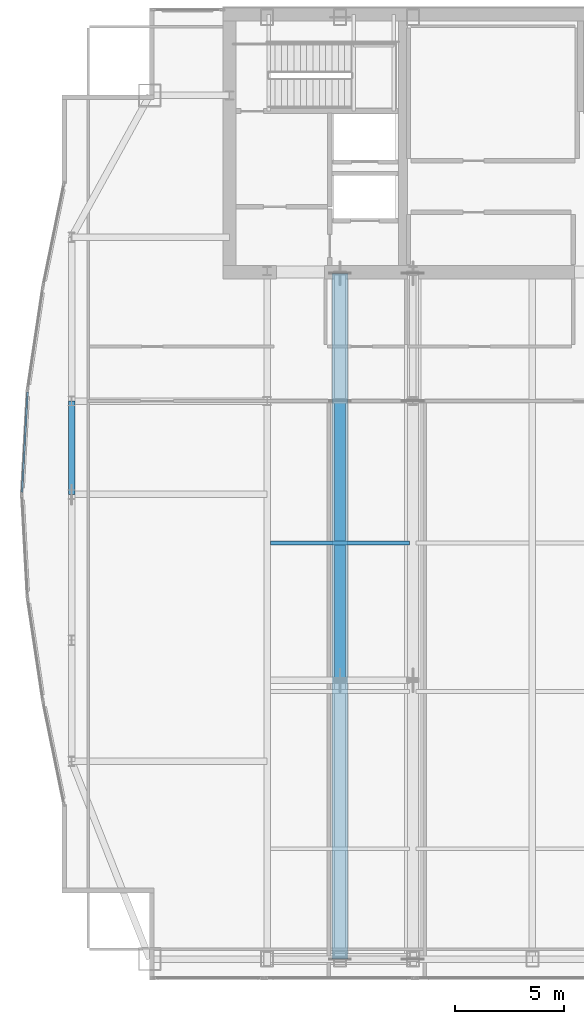
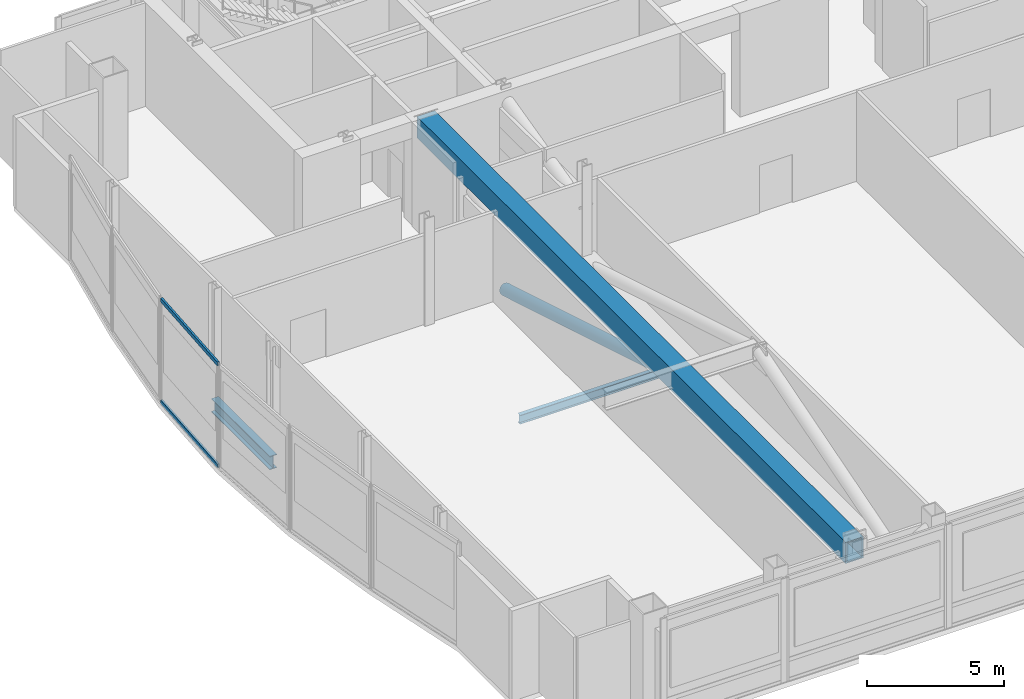
# One storey, part 13 of 32: 4 members, 2 beams, 1 element without a shape of its own.
"""IFC4 building model written with IfcOpenShell, lengths in metres."""

import ifcopenshell
import ifcopenshell.guid

model = None  # the IFC model being written
_history = None  # IfcOwnerHistory: only IFC2X3 demands one
_inside = {}  # id of a spatial element -> (the spatial element, [elements in it])
_under = {}  # id of a project, library or spatial element -> (it, [spatial elements below it])
_declared = {}  # id of a project -> (the project, [libraries it declares])
_typed = {}  # id of a type object -> (the type object, [elements of that type])
_made_of = {}  # id of a material, layer set ... -> (it, [elements and type objects made of it])


def new_model(schema):
    """Start an empty IFC model of exactly this schema.

    Asked for "IFC4X3", IfcOpenShell would pick the latest addendum, in which some entities
    have other attributes; the version numbers below select the first issue.
    IFC2X3 requires an IfcOwnerHistory on every rooted entity: one is made here for all.
    """
    global model, _history
    if schema == "IFC4X3":
        model = ifcopenshell.file(schema_version=(4, 3, 0, 0))
    else:
        model = ifcopenshell.file(schema=schema)
    _inside.clear()
    _under.clear()
    _declared.clear()
    _typed.clear()
    _made_of.clear()
    _history = None
    if model.schema == "IFC2X3":
        org = make("IfcOrganization", Name="unknown")
        user = make(
            "IfcPersonAndOrganization",
            ThePerson=make("IfcPerson", FamilyName="unknown"),
            TheOrganization=org,
        )
        app = make(
            "IfcApplication",
            ApplicationDeveloper=org,
            Version="unknown",
            ApplicationFullName="unknown",
            ApplicationIdentifier="unknown",
        )
        _history = make(
            "IfcOwnerHistory",
            OwningUser=user,
            OwningApplication=app,
            ChangeAction="ADDED",
            CreationDate=0,
        )
    return model


def make(cls, **values):
    """One entity of the class cls with the attributes given. An attribute that is None is left unset."""
    return model.create_entity(
        cls, **{name: value for name, value in values.items() if value is not None}
    )


def rooted(cls, **values):
    """An entity with a GlobalId (a new one), such as an element, a storey or a relation."""
    return make(cls, GlobalId=ifcopenshell.guid.new(), OwnerHistory=_history, **values)


def si_unit(unit_type, name, prefix=None):
    """IfcSIUnit, for example si_unit("LENGTHUNIT", "METRE", prefix="MILLI")."""
    return make("IfcSIUnit", UnitType=unit_type, Prefix=prefix, Name=name)


def assignment(units):
    """IfcUnitAssignment: the units of a project."""
    return None if units is None else make("IfcUnitAssignment", Units=units)


def point(xyz):
    """IfcCartesianPoint."""
    return None if xyz is None else make("IfcCartesianPoint", Coordinates=xyz)


def direction(xyz):
    """IfcDirection."""
    return None if xyz is None else make("IfcDirection", DirectionRatios=xyz)


def frame(location, z_axis=None, x_axis=None):
    """IfcAxis2Placement3D, a coordinate frame: its origin and axes. An axis left out is left unset."""
    return make(
        "IfcAxis2Placement3D",
        Location=point(location),
        Axis=direction(z_axis),
        RefDirection=direction(x_axis),
    )


def frame_2d(location, x_axis=None):
    """IfcAxis2Placement2D, a coordinate frame in the plane: its origin and x axis."""
    return make(
        "IfcAxis2Placement2D", Location=point(location), RefDirection=direction(x_axis)
    )


def origin():
    """The frame at (0, 0, 0) with its axes left unset."""
    return frame((0.0, 0.0, 0.0))


def origin_2d():
    """The frame at (0, 0) in the plane with its x axis left unset."""
    return frame_2d((0.0, 0.0))


def place(relative_to, where):
    """IfcLocalPlacement: puts the frame where relative to a parent placement (None: the world)."""
    return make(
        "IfcLocalPlacement", PlacementRelTo=relative_to, RelativePlacement=where
    )


def context(
    kind, dimensions, precision=None, world=None, true_north=None, identifier=None
):
    """IfcGeometricRepresentationContext, for example the 3D "Model" context."""
    return make(
        "IfcGeometricRepresentationContext",
        ContextIdentifier=identifier,
        ContextType=kind,
        CoordinateSpaceDimension=dimensions,
        Precision=precision,
        WorldCoordinateSystem=world,
        TrueNorth=true_north,
    )


def subcontext(parent, identifier, kind, view, scale=None):
    """IfcGeometricRepresentationSubContext, for example "Body" below "Model"."""
    return make(
        "IfcGeometricRepresentationSubContext",
        ContextIdentifier=identifier,
        ContextType=kind,
        ParentContext=parent,
        TargetScale=scale,
        TargetView=view,
    )


def project(units=None, contexts=None):
    """IfcProject with its units and contexts."""
    return rooted(
        "IfcProject",
        Name="project",
        RepresentationContexts=contexts,
        UnitsInContext=assignment(units),
    )


def spatial(cls, under=None, at=None, **own):
    """A site, building, storey or space (cls), placed at a placement, below another one or the project."""
    s = rooted(cls, ObjectPlacement=at, **own)
    if under is not None:
        _under.setdefault(under.id(), (under, []))[1].append(s)
    return s


def profile(cls, at=None, kind="AREA", **sizes):
    """A parametric profile (cls). Its sizes go by their IFC names, for example OverallWidth=200.0."""
    return make(cls, ProfileType=kind, Position=at, **sizes)


def hollow_rectangle(**sizes):
    """IfcRectangleHollowProfileDef."""
    return profile("IfcRectangleHollowProfileDef", **sizes)


def hollow_circle(**sizes):
    """IfcCircleHollowProfileDef."""
    return profile("IfcCircleHollowProfileDef", **sizes)


def i_section(**sizes):
    """IfcIShapeProfileDef."""
    return profile("IfcIShapeProfileDef", **sizes)


def extrude(swept, where, along, depth):
    """IfcExtrudedAreaSolid: the profile swept, set in the frame where, extruded along a direction by depth."""
    return make(
        "IfcExtrudedAreaSolid",
        SweptArea=swept,
        Position=where,
        ExtrudedDirection=direction(along),
        Depth=depth,
    )


def shape(context_of_items, identifier, shape_type, items):
    """IfcShapeRepresentation: the items that make up one representation, for example the "Body"."""
    return make(
        "IfcShapeRepresentation",
        ContextOfItems=context_of_items,
        RepresentationIdentifier=identifier,
        RepresentationType=shape_type,
        Items=items,
    )


def material(Name=None, Category=None):
    """IfcMaterial."""
    return make("IfcMaterial", Name=Name, Category=Category)


def material_profile(
    of_material, cross_section, Name=None, Category=None, Priority=None
):
    """IfcMaterialProfile: a cross section and its material."""
    return make(
        "IfcMaterialProfile",
        Name=Name,
        Material=of_material,
        Profile=cross_section,
        Priority=Priority,
        Category=Category,
    )


def profile_set(profiles, Name=None, composite=None):
    """IfcMaterialProfileSet."""
    return make(
        "IfcMaterialProfileSet",
        Name=Name,
        MaterialProfiles=profiles,
        CompositeProfile=composite,
    )


def made_of(thing, what):
    """Note that an element or type object is made of a material, layer set ...; save() writes the relation."""
    if what is not None:
        _made_of.setdefault(what.id(), (what, []))[1].append(thing)
    return thing


def type_object(cls, material=None, **own):
    """A type object (cls), such as IfcWallType, which elements share."""
    return made_of(rooted(cls, **own), material)


def element(
    cls,
    number,
    at=None,
    inside=None,
    cuts=None,
    type_object=None,
    material=None,
    context=None,
    identifier="Body",
    shape_type=None,
    held_by="IfcProductDefinitionShape",
    body=None,
    shapes=None,
    **own,
):
    """One element of the class cls, such as IfcWall. Its Tag is "e" and its number.

    at: its placement. inside: the storey or other place that contains it. cuts: it is an
    opening in that element (IfcRelVoidsElement). A single representation is given by context,
    identifier, shape_type and body (its items); several are given by shapes. held_by: the class
    of the entity that holds the representations. save() writes the other relations.
    """
    e = rooted(cls, Tag="e%d" % number, ObjectPlacement=at, **own)
    if body is not None:
        shapes = [shape(context, identifier, shape_type, body)]
    if shapes is not None:
        e.Representation = make(held_by, Representations=shapes)
    if inside is not None:
        _inside.setdefault(inside.id(), (inside, []))[1].append(e)
    if cuts is not None:
        rooted(
            "IfcRelVoidsElement", RelatingBuildingElement=cuts, RelatedOpeningElement=e
        )
    if type_object is not None:
        _typed.setdefault(type_object.id(), (type_object, []))[1].append(e)
    return made_of(e, material)


def aggregate(whole, parts):
    """IfcRelAggregates: a whole, such as a stair, and the parts it consists of."""
    return rooted("IfcRelAggregates", RelatingObject=whole, RelatedObjects=parts)


def save(model, path):
    """Write the relations noted so far, then the file.

    IfcRelAggregates (storeys below a building ...), IfcRelContainedInSpatialStructure (elements
    in a storey), IfcRelDefinesByType, IfcRelAssociatesMaterial and IfcRelDeclares: one each for
    every whole, place, type object, material and project.
    """
    for whole, parts in _under.values():
        aggregate(whole, parts)
    for where, things in _inside.values():
        rooted(
            "IfcRelContainedInSpatialStructure",
            RelatedElements=things,
            RelatingStructure=where,
        )
    for kind, things in _typed.values():
        rooted("IfcRelDefinesByType", RelatedObjects=things, RelatingType=kind)
    for what, things in _made_of.values():
        rooted("IfcRelAssociatesMaterial", RelatedObjects=things, RelatingMaterial=what)
    for by, libraries in _declared.values():
        rooted("IfcRelDeclares", RelatingContext=by, RelatedDefinitions=libraries)
    model.write(path)


model = new_model("IFC4")

# Units and contexts
model_context = context("Model", 3, precision=1e-05, world=origin(), true_north=direction((0.0, 1.0)))
body_context = subcontext(model_context, "Body", "Model", "MODEL_VIEW")
ifc_project = project(units=[si_unit("LENGTHUNIT", "METRE"), si_unit("AREAUNIT", "SQUARE_METRE"), si_unit("VOLUMEUNIT", "CUBIC_METRE"), si_unit("PLANEANGLEUNIT", "RADIAN"), si_unit("MASSUNIT", "GRAM", prefix="KILO")], contexts=[model_context])

# Site, building, storey
site_placement = place(None, origin())
site = spatial("IfcSite", under=ifc_project, at=site_placement, CompositionType="ELEMENT")
building_placement = place(site_placement, origin())
building = spatial("IfcBuilding", under=site, at=building_placement, Name="Khoronbel Lancet Exchange", CompositionType="ELEMENT")
storey_placement = place(building_placement, frame((0.0, 0.0, 257.0)))
storey = spatial("IfcBuildingStorey", under=building, at=storey_placement, Name="L66", CompositionType="ELEMENT", Elevation=257.0)

# Beams
ifc_material_1 = material(Name="Steel S355", Category="steel")
ifc_material_profile_1 = material_profile(ifc_material_1, i_section(OverallWidth=0.179931640625, OverallDepth=0.39990234375, WebThickness=0.008544921875, FlangeThickness=0.013427734375, at=origin_2d()), Name="IPE 400")
ifc_profile_set_1 = profile_set([ifc_material_profile_1], Name="Steel S355")
beam_type_1 = type_object("IfcBeamType", Name="BM-BJ5", PredefinedType="JOIST", material=ifc_profile_set_1)
beam_1_placement = place(storey_placement, frame((18.375, 29.199951171875, -0.419921875), z_axis=(1.0, 0.0, 0.0), x_axis=(0.0, 1.0, 0.0)))
element("IfcBeam", 1, at=beam_1_placement, inside=storey, type_object=beam_type_1, Name="Level L66 secondary composite joist J11", PredefinedType="JOIST", context=body_context, shape_type="SweptSolid", body=[
    extrude(i_section(OverallWidth=0.179931640625, OverallDepth=0.39990234375, WebThickness=0.008544921875, FlangeThickness=0.013427734375, at=origin_2d()), origin(), (0.0, 0.0, 1.0), 6.375),
])
ifc_material_profile_2 = material_profile(ifc_material_1, i_section(OverallWidth=0.300048828125, OverallDepth=0.60009765625, WebThickness=0.015380859375, FlangeThickness=0.030029296875, at=origin_2d()), Name="HEB 600")
ifc_profile_set_2 = profile_set([ifc_material_profile_2], Name="Steel S355")
beam_type_2 = type_object("IfcBeamType", Name="BM-BSP2", PredefinedType="SPANDREL", material=ifc_profile_set_2)
beam_2_placement = place(storey_placement, frame((9.27001953125, 35.699951171875, -0.52001953125), z_axis=(0.0, -1.0, 0.0), x_axis=(1.0, 0.0, 0.0)))
element("IfcBeam", 2, at=beam_2_placement, inside=storey, type_object=beam_type_2, Name="Level L66 perimeter spandrel beam SP18", PredefinedType="SPANDREL", context=body_context, shape_type="SweptSolid", body=[
    extrude(i_section(OverallWidth=0.300048828125, OverallDepth=0.60009765625, WebThickness=0.015380859375, FlangeThickness=0.030029296875, at=origin_2d()), origin(), (0.0, 0.0, 1.0), 4.27490234375),
])

# Curtain wall, members
ifc_material_2 = material(Name="Low-E Solar Control Insulating Glass", Category="glass")
curtain_wall_type = type_object("IfcCurtainWallType", Name="CW-4", PredefinedType="NOTDEFINED", material=ifc_material_2)
curtain_wall_placement = place(storey_placement, origin())
curtain_wall = element("IfcCurtainWall", 3, at=curtain_wall_placement, inside=storey, type_object=curtain_wall_type, Name="Unitised curtain wall CW-L66-E07", PredefinedType="NOTDEFINED")
ifc_material_3 = material(Name="Bronze-Anodised Aluminium 6063-T6", Category="aluminium")
ifc_material_profile_3 = material_profile(ifc_material_3, hollow_rectangle(XDim=0.0849609375, YDim=0.179931640625, WallThickness=0.0048828125, at=origin_2d()), Name="ALU TRANSOM 85x180")
ifc_profile_set_3 = profile_set([ifc_material_profile_3], Name="Bronze-Anodised Aluminium 6063-T6")
member_type_1 = type_object("IfcMemberType", Name="MEM-CWT1", PredefinedType="USERDEFINED", material=ifc_profile_set_3)
member_1_placement = place(storey_placement, frame((7.00439453125, 31.52490234375, 0.04248046875), z_axis=(0.054637751843, 0.998506242381, 0.0), x_axis=(-0.998506242381, 0.054637751843, 0.0)))
member_1 = element("IfcMember", 4, at=member_1_placement, type_object=member_type_1, Name="CW4 transom 1.1", ObjectType="TRANSOM", PredefinedType="USERDEFINED", context=body_context, shape_type="SweptSolid", body=[
    extrude(hollow_rectangle(XDim=0.0849609375, YDim=0.179931640625, WallThickness=0.0048828125, at=origin_2d()), origin(), (0.0, 0.0, 1.0), 4.597900390625),
])
member_2_placement = place(storey_placement, frame((7.00439453125, 31.52490234375, 4.597412109375), z_axis=(0.054637751843, 0.998506242381, 0.0), x_axis=(-0.998506242381, 0.054637751843, 0.0)))
member_2 = element("IfcMember", 5, at=member_2_placement, type_object=member_type_1, Name="CW4 transom 1.2", ObjectType="TRANSOM", PredefinedType="USERDEFINED", context=body_context, shape_type="SweptSolid", body=[
    extrude(hollow_rectangle(XDim=0.0849609375, YDim=0.179931640625, WallThickness=0.0048828125, at=origin_2d()), origin(), (0.0, 0.0, 1.0), 4.597900390625),
])
aggregate(curtain_wall, [member_1, member_2])

# Members
ifc_material_4 = material(Name="Steel S460", Category="steel")
ifc_material_profile_4 = material_profile(ifc_material_4, hollow_circle(Radius=0.25390625, WallThickness=0.02490234375, at=origin_2d()), Name="CHS 508x25")
ifc_profile_set_4 = profile_set([ifc_material_profile_4], Name="Steel S460")
member_type_2 = type_object("IfcMemberType", Name="MEM-OBR2", PredefinedType="BRACE", material=ifc_profile_set_4)
member_3_placement = place(storey_placement, frame((21.5625, 22.925048828125, 4.139892578125), z_axis=(0.0, 0.957674025544, -0.287854930126), x_axis=(-1.0, 0.0, 0.0)))
element("IfcMember", 6, at=member_3_placement, inside=storey, type_object=member_type_2, Name="Outrigger truss diagonal L66-1-2", PredefinedType="BRACE", context=body_context, shape_type="SweptSolid", body=[
    extrude(hollow_circle(Radius=0.25390625, WallThickness=0.02490234375, at=origin_2d()), origin(), (0.0, 0.0, 1.0), 13.339599609375),
])
ifc_material_profile_5 = material_profile(ifc_material_4, hollow_rectangle(XDim=0.75, YDim=0.949951171875, WallThickness=0.054931640625, at=origin_2d()), Name="BOX 950x750x55")
ifc_profile_set_5 = profile_set([ifc_material_profile_5], Name="Steel S460")
member_type_3 = type_object("IfcMemberType", Name="MEM-OCH2", PredefinedType="CHORD", material=ifc_profile_set_5)
member_4_placement = place(storey_placement, frame((21.5625, 10.14990234375, 4.139892578125), z_axis=(0.0, 1.0, 0.0), x_axis=(-1.0, 0.0, 0.0)))
element("IfcMember", 7, at=member_4_placement, inside=storey, type_object=member_type_3, Name="Outrigger truss top chord L66-1-TOP", PredefinedType="CHORD", context=body_context, shape_type="SweptSolid", body=[
    extrude(hollow_rectangle(XDim=0.75, YDim=0.949951171875, WallThickness=0.054931640625, at=origin_2d()), origin(), (0.0, 0.0, 1.0), 31.400146484375),
])

save(model, "model.ifc")
